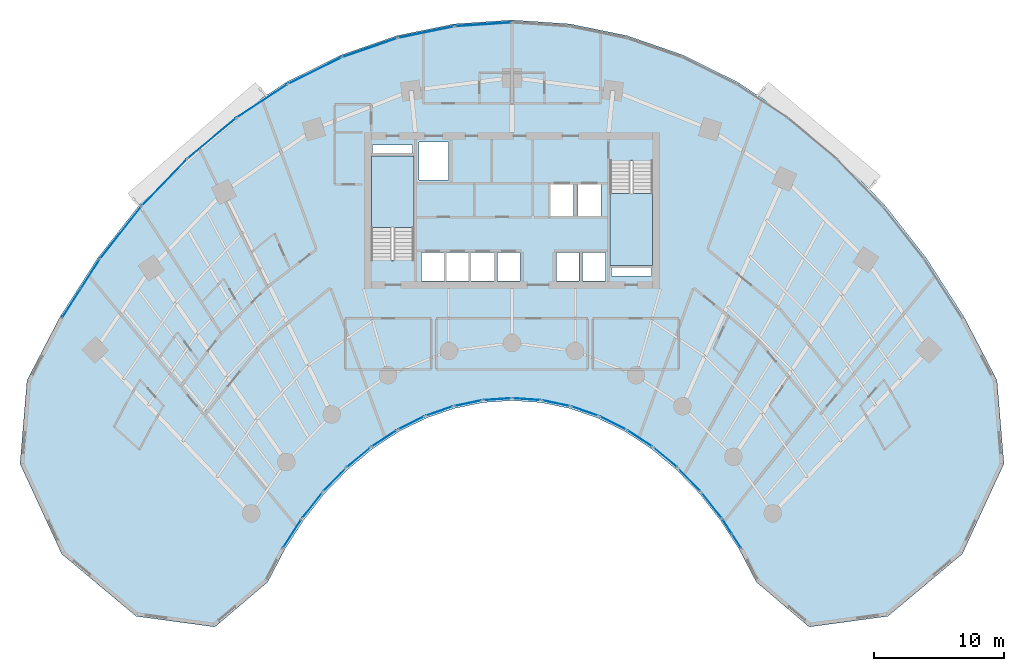
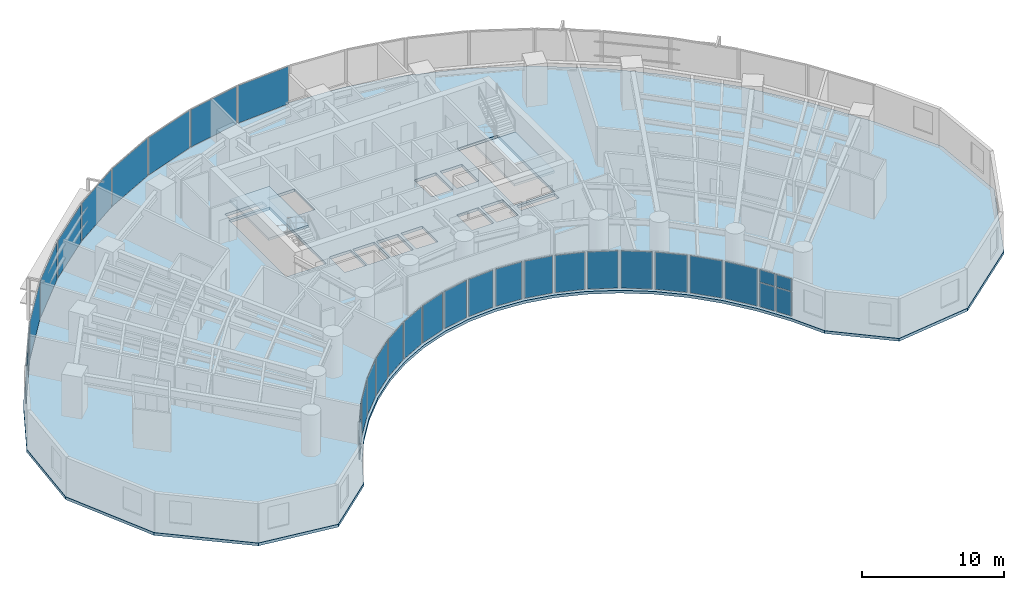
# One storey, part 9 of 17: 33 plates, 3 slabs, 29 elements without a shape of their own.
"""IFC4 building model written with IfcOpenShell, lengths in metres."""

from ifc_helpers import new_model, si_unit, direction, frame, origin, origin_2d, place, context, subcontext, project, spatial, polyline, rectangle, outline, extrude, source, transform, mapped, material, layer, layer_set, type_object, type_shapes, element, aggregate, save


model = new_model("IFC4")

# Units and contexts
model_context = context("Model", 3, precision=1e-05, world=origin(), true_north=direction((0.0, 1.0)))
body_context = subcontext(model_context, "Body", "Model", "MODEL_VIEW")
ifc_project = project(units=[si_unit("LENGTHUNIT", "METRE"), si_unit("AREAUNIT", "SQUARE_METRE"), si_unit("VOLUMEUNIT", "CUBIC_METRE"), si_unit("PLANEANGLEUNIT", "RADIAN"), si_unit("MASSUNIT", "GRAM", prefix="KILO")], contexts=[model_context])

# Site, building, storey
site_placement = place(None, origin())
site = spatial("IfcSite", under=ifc_project, at=site_placement, CompositionType="ELEMENT")
building_placement = place(site_placement, origin())
building = spatial("IfcBuilding", under=site, at=building_placement, Name="Breltana Convention Tower", CompositionType="ELEMENT")
storey_placement = place(building_placement, frame((0.0, 0.0, 71.39990234375)))
storey = spatial("IfcBuildingStorey", under=building, at=storey_placement, Name="L16", CompositionType="ELEMENT", Elevation=71.39990234375)

# Slab
ifc_material_1 = material(Name="Concrete C40/50", Category="concrete")
ifc_layer_1 = layer(ifc_material_1, 0.239990234375, Name="Concrete C40/50")
ifc_layer_set_1 = layer_set([ifc_layer_1], Name="Concrete C40/50")
slab_type_1 = type_object("IfcSlabType", Name="SL-HTL-240", PredefinedType="FLOOR", material=ifc_layer_set_1)
slab_1_placement = place(storey_placement, frame((0.0, 0.0, -0.239990234375)))
element("IfcSlab", 1, at=slab_1_placement, inside=storey, type_object=slab_type_1, Name="L16 Suspended Structural Floor Slab", PredefinedType="FLOOR", context=body_context, shape_type="SweptSolid", body=[
    extrude(outline(polyline([(85.229248046875, 53.173095703125), (82.687744140625, 58.054931640625), (79.791015625, 62.567626953125), (76.569091796875, 66.664794921875), (73.05419921875, 70.304931640625), (69.283203125, 73.450439453125), (65.2939453125, 76.069091796875), (61.1279296875, 78.134033203125), (56.827392578125, 79.62451171875), (52.436279296875, 80.52490234375), (48.0, 80.825927734375), (43.563720703125, 80.52490234375), (39.172607421875, 79.62451171875), (34.8720703125, 78.134033203125), (30.7060546875, 76.069091796875), (26.716796875, 73.450439453125), (22.94580078125, 70.304931640625), (19.430908203125, 66.664794921875), (16.208984375, 62.567626953125), (13.312255859375, 58.054931640625), (10.770751953125, 53.173095703125), (10.234619140625, 46.75927734375), (13.433837890625, 39.8388671875), (19.14697265625, 35.055419921875), (25.191162109375, 34.235595703125), (29.258056640625, 37.693115234375), (30.53759765625, 40.150634765625), (31.995849609375, 42.42236328125), (33.617919921875, 44.485107421875), (35.38720703125, 46.3173828125), (37.28564453125, 47.90087890625), (39.2939453125, 49.21923828125), (41.39111328125, 50.2587890625), (43.55615234375, 51.009033203125), (45.7666015625, 51.46240234375), (48.0, 51.614013671875), (50.2333984375, 51.46240234375), (52.44384765625, 51.009033203125), (54.60888671875, 50.2587890625), (56.7060546875, 49.21923828125), (58.71435546875, 47.90087890625), (60.61279296875, 46.3173828125), (62.382080078125, 44.485107421875), (64.004150390625, 42.42236328125), (65.46240234375, 40.150634765625), (66.741943359375, 37.693115234375), (70.808837890625, 34.235595703125), (76.85302734375, 35.055419921875), (82.566162109375, 39.8388671875), (85.765380859375, 46.75927734375), (85.229248046875, 53.173095703125)]), holes=[polyline([(37.199951171875, 62.385009765625), (40.469970703125, 62.385009765625), (40.469970703125, 70.39990234375), (37.199951171875, 70.39990234375), (37.199951171875, 62.385009765625)]), polyline([(55.530029296875, 62.0), (58.800048828125, 62.0), (58.800048828125, 70.014892578125), (55.530029296875, 70.014892578125), (55.530029296875, 62.0)]), polyline([(41.0400390625, 60.800048828125), (42.800048828125, 60.800048828125), (42.800048828125, 62.97998046875), (41.0400390625, 62.97998046875), (41.0400390625, 60.800048828125)]), polyline([(42.93994140625, 60.800048828125), (44.699951171875, 60.800048828125), (44.699951171875, 62.97998046875), (42.93994140625, 62.97998046875), (42.93994140625, 60.800048828125)]), polyline([(44.8701171875, 60.800048828125), (46.6298828125, 60.800048828125), (46.6298828125, 62.97998046875), (44.8701171875, 62.97998046875), (44.8701171875, 60.800048828125)]), polyline([(46.8701171875, 60.800048828125), (48.6298828125, 60.800048828125), (48.6298828125, 62.97998046875), (46.8701171875, 62.97998046875), (46.8701171875, 60.800048828125)]), polyline([(51.39990234375, 60.800048828125), (53.159912109375, 60.800048828125), (53.159912109375, 62.97998046875), (51.39990234375, 62.97998046875), (51.39990234375, 60.800048828125)]), polyline([(53.39990234375, 60.800048828125), (55.159912109375, 60.800048828125), (55.159912109375, 62.97998046875), (53.39990234375, 62.97998046875), (53.39990234375, 60.800048828125)]), polyline([(50.969970703125, 65.800048828125), (52.72998046875, 65.800048828125), (52.72998046875, 68.179931640625), (50.969970703125, 68.179931640625), (50.969970703125, 65.800048828125)]), polyline([(53.070068359375, 65.800048828125), (54.830078125, 65.800048828125), (54.830078125, 68.179931640625), (53.070068359375, 68.179931640625), (53.070068359375, 65.800048828125)]), polyline([(40.8798828125, 68.550048828125), (43.1201171875, 68.550048828125), (43.1201171875, 71.449951171875), (40.8798828125, 71.449951171875), (40.8798828125, 68.550048828125)]), polyline([(37.300048828125, 70.60009765625), (40.3798828125, 70.60009765625), (40.3798828125, 71.219970703125), (37.300048828125, 71.219970703125), (37.300048828125, 70.60009765625)]), polyline([(55.6201171875, 61.179931640625), (58.699951171875, 61.179931640625), (58.699951171875, 61.800048828125), (55.6201171875, 61.800048828125), (55.6201171875, 61.179931640625)])]), origin(), (0.0, 0.0, 1.0), 0.239990234375),
])

# Stair, slab
stair_type = type_object("IfcStairType", Name="ST-DOG-1560-R180", PredefinedType="HALF_TURN_STAIR", material=ifc_material_1)
stair_1_placement = place(storey_placement, origin())
stair_1 = element("IfcStair", 2, at=stair_1_placement, inside=storey, type_object=stair_type, Name="L16 Protected Core Exit Stair ST-1", PredefinedType="HALF_TURN_STAIR")
ifc_layer_2 = layer(ifc_material_1, 0.199951171875, Name="Concrete C40/50")
ifc_layer_set_2 = layer_set([ifc_layer_2], Name="Concrete C40/50")
slab_type_2 = type_object("IfcSlabType", Name="SL-STAIR-LANDING-200", PredefinedType="LANDING", material=ifc_layer_set_2)
slab_2_placement = place(storey_placement, frame((0.0, 0.0, 1.60009765625)))
slab_2 = element("IfcSlab", 3, at=slab_2_placement, type_object=slab_type_2, Name="ST-1 landing 1", PredefinedType="LANDING", context=body_context, shape_type="SweptSolid", body=[
    extrude(outline(polyline([(40.469970703125, 64.8798828125), (40.469970703125, 70.39990234375), (37.199951171875, 70.39990234375), (37.199951171875, 64.8798828125), (40.469970703125, 64.8798828125)])), origin(), (0.0, 0.0, 1.0), 0.199951171875),
])
aggregate(stair_1, [slab_2])

stair_2_placement = place(storey_placement, origin())
stair_2 = element("IfcStair", 4, at=stair_2_placement, inside=storey, type_object=stair_type, Name="L16 Protected Core Exit Stair ST-2", PredefinedType="HALF_TURN_STAIR")
slab_3_placement = place(storey_placement, frame((0.0, 0.0, 1.60009765625)))
slab_3 = element("IfcSlab", 5, at=slab_3_placement, type_object=slab_type_2, Name="ST-2 landing 1", PredefinedType="LANDING", context=body_context, shape_type="SweptSolid", body=[
    extrude(outline(polyline([(55.530029296875, 67.52001953125), (55.530029296875, 62.0), (58.800048828125, 62.0), (58.800048828125, 67.52001953125), (55.530029296875, 67.52001953125)])), origin(), (0.0, 0.0, 1.0), 0.199951171875),
])
aggregate(stair_2, [slab_3])

# Curtain wall, plates
ifc_material_2 = material(Name="Aluminium Anodised Bronze Frame", Category="aluminium")
ifc_layer_3 = layer(ifc_material_2, 0.18994140625, Name="Aluminium Anodised Bronze Frame")
ifc_layer_set_3 = layer_set([ifc_layer_3], Name="Aluminium Anodised Bronze Frame")
curtain_wall_type_1 = type_object("IfcCurtainWallType", Name="CW-SYS-1", PredefinedType="NOTDEFINED", material=ifc_layer_set_3)
curtain_wall_1_placement = place(storey_placement, origin())
curtain_wall_1 = element("IfcCurtainWall", 6, at=curtain_wall_1_placement, inside=storey, type_object=curtain_wall_type_1, Name="L16 inner south-court glazing 1", PredefinedType="NOTDEFINED")
ifc_material_3 = material(Name="Glass Low-E Double Glazing", Category="glass")
ifc_layer_4 = layer(ifc_material_3, 0.028076171875, Name="Glass Low-E Double Glazing")
ifc_layer_set_4 = layer_set([ifc_layer_4], Name="Glass Low-E Double Glazing")
plate_type_1 = type_object("IfcPlateType", Name="CWP-IGU-28", PredefinedType="CURTAIN_PANEL", material=ifc_layer_set_4)
shared_shape_1 = source(origin(), body_context, "Body", "SweptSolid", [
    extrude(rectangle(XDim=1.229736328125, YDim=0.028076171875, at=origin_2d()), origin(), (0.0, 0.0, 1.0), 2.06396484375),
])
plate_1_placement = place(storey_placement, frame((65.238525390625, 40.83251953125, 0.080078125), z_axis=(0.0, 0.0, 1.0), x_axis=(-0.540169576197, 0.841556194767, 0.0)))
plate_1 = element("IfcPlate", 7, at=plate_1_placement, type_object=plate_type_1, Name="CW-01 panel 1.1", PredefinedType="CURTAIN_PANEL", context=body_context, shape_type="MappedRepresentation", body=[
    mapped(shared_shape_1, transform((0.0, 0.0, 0.0), scale=1.0)),
])
plate_2_placement = place(storey_placement, frame((64.531005859375, 41.934814453125, 0.080078125), z_axis=(0.0, 0.0, 1.0), x_axis=(-0.540169576197, 0.841556194767, 0.0)))
plate_2 = element("IfcPlate", 8, at=plate_2_placement, type_object=plate_type_1, Name="CW-01 panel 2.1", PredefinedType="CURTAIN_PANEL", context=body_context, shape_type="MappedRepresentation", body=[
    mapped(shared_shape_1, transform((0.0, 0.0, 0.0), scale=1.0)),
])
shared_shape_2 = source(origin(), body_context, "Body", "SweptSolid", [
    extrude(rectangle(XDim=1.229736328125, YDim=0.028076171875, at=origin_2d()), origin(), (0.0, 0.0, 1.0), 1.055908203125),
])
plate_3_placement = place(storey_placement, frame((65.238525390625, 40.83251953125, 2.22412109375), z_axis=(0.0, 0.0, 1.0), x_axis=(-0.540169576197, 0.841556194767, 0.0)))
plate_3 = element("IfcPlate", 9, at=plate_3_placement, type_object=plate_type_1, Name="CW-01 panel 1.2", PredefinedType="CURTAIN_PANEL", context=body_context, shape_type="MappedRepresentation", body=[
    mapped(shared_shape_2, transform((0.0, 0.0, 0.0), scale=1.0)),
])
plate_4_placement = place(storey_placement, frame((64.531005859375, 41.934814453125, 2.22412109375), z_axis=(0.0, 0.0, 1.0), x_axis=(-0.540169576197, 0.841556194767, 0.0)))
plate_4 = element("IfcPlate", 10, at=plate_4_placement, type_object=plate_type_1, Name="CW-01 panel 2.2", PredefinedType="CURTAIN_PANEL", context=body_context, shape_type="MappedRepresentation", body=[
    mapped(shared_shape_2, transform((0.0, 0.0, 0.0), scale=1.0)),
])
aggregate(curtain_wall_1, [plate_1, plate_3, plate_2, plate_4])

# Curtain wall, plate
curtain_wall_2_placement = place(storey_placement, origin())
curtain_wall_2 = element("IfcCurtainWall", 11, at=curtain_wall_2_placement, inside=storey, type_object=curtain_wall_type_1, Name="L16 inner south-court glazing 2", PredefinedType="NOTDEFINED")
shared_shape_3 = source(origin(), body_context, "Body", "SweptSolid", [
    extrude(rectangle(XDim=2.464111328125, YDim=0.028076171875, at=origin_2d()), origin(), (0.0, 0.0, 1.0), 3.199951171875),
])
plate_5_placement = place(storey_placement, frame((63.334716796875, 43.56494140625, 0.080078125), z_axis=(0.0, 0.0, 1.0), x_axis=(-0.61815305034, 0.786057762734, 0.0)))
plate_5 = element("IfcPlate", 12, at=plate_5_placement, type_object=plate_type_1, Name="CW-01 panel 1.1", PredefinedType="CURTAIN_PANEL", context=body_context, shape_type="MappedRepresentation", body=[
    mapped(shared_shape_3, transform((0.0, 0.0, 0.0), scale=1.0)),
])
aggregate(curtain_wall_2, [plate_5])

curtain_wall_3_placement = place(storey_placement, origin())
curtain_wall_3 = element("IfcCurtainWall", 13, at=curtain_wall_3_placement, inside=storey, type_object=curtain_wall_type_1, Name="L16 inner south-court glazing 17", PredefinedType="NOTDEFINED")
plate_6_placement = place(storey_placement, frame((32.665283203125, 43.56494140625, 0.080078125), z_axis=(0.0, 0.0, 1.0), x_axis=(-0.61815305034, -0.786057762734, 0.0)))
plate_6 = element("IfcPlate", 14, at=plate_6_placement, type_object=plate_type_1, Name="CW-01 panel 1.1", PredefinedType="CURTAIN_PANEL", context=body_context, shape_type="MappedRepresentation", body=[
    mapped(shared_shape_3, transform((0.0, 0.0, 0.0), scale=1.0)),
])
aggregate(curtain_wall_3, [plate_6])

curtain_wall_4_placement = place(storey_placement, origin())
curtain_wall_4 = element("IfcCurtainWall", 15, at=curtain_wall_4_placement, inside=storey, type_object=curtain_wall_type_1, Name="L16 inner south-court glazing 3", PredefinedType="NOTDEFINED")
shared_shape_4 = source(origin(), body_context, "Body", "SweptSolid", [
    extrude(rectangle(XDim=2.38720703125, YDim=0.028076171875, at=origin_2d()), origin(), (0.0, 0.0, 1.0), 3.199951171875),
])
plate_7_placement = place(storey_placement, frame((61.626953125, 45.5263671875, 0.080078125), z_axis=(0.0, 0.0, 1.0), x_axis=(-0.694612029111, 0.719384548773, 0.0)))
plate_7 = element("IfcPlate", 16, at=plate_7_placement, type_object=plate_type_1, Name="CW-01 panel 1.1", PredefinedType="CURTAIN_PANEL", context=body_context, shape_type="MappedRepresentation", body=[
    mapped(shared_shape_4, transform((0.0, 0.0, 0.0), scale=1.0)),
])
aggregate(curtain_wall_4, [plate_7])

curtain_wall_5_placement = place(storey_placement, origin())
curtain_wall_5 = element("IfcCurtainWall", 17, at=curtain_wall_5_placement, inside=storey, type_object=curtain_wall_type_1, Name="L16 inner south-court glazing 16", PredefinedType="NOTDEFINED")
plate_8_placement = place(storey_placement, frame((34.373046875, 45.5263671875, 0.080078125), z_axis=(0.0, 0.0, 1.0), x_axis=(-0.694612029111, -0.719384548773, 0.0)))
plate_8 = element("IfcPlate", 18, at=plate_8_placement, type_object=plate_type_1, Name="CW-01 panel 1.1", PredefinedType="CURTAIN_PANEL", context=body_context, shape_type="MappedRepresentation", body=[
    mapped(shared_shape_4, transform((0.0, 0.0, 0.0), scale=1.0)),
])
aggregate(curtain_wall_5, [plate_8])

curtain_wall_6_placement = place(storey_placement, origin())
curtain_wall_6 = element("IfcCurtainWall", 19, at=curtain_wall_6_placement, inside=storey, type_object=curtain_wall_type_1, Name="L16 inner south-court glazing 4", PredefinedType="NOTDEFINED")
shared_shape_5 = source(origin(), body_context, "Body", "SweptSolid", [
    extrude(rectangle(XDim=2.312255859375, YDim=0.028076171875, at=origin_2d()), origin(), (0.0, 0.0, 1.0), 3.199951171875),
])
plate_9_placement = place(storey_placement, frame((59.77880859375, 47.24755859375, 0.080078125), z_axis=(0.0, 0.0, 1.0), x_axis=(-0.767939382804, 0.640522524458, 0.0)))
plate_9 = element("IfcPlate", 20, at=plate_9_placement, type_object=plate_type_1, Name="CW-01 panel 1.1", PredefinedType="CURTAIN_PANEL", context=body_context, shape_type="MappedRepresentation", body=[
    mapped(shared_shape_5, transform((0.0, 0.0, 0.0), scale=1.0)),
])
aggregate(curtain_wall_6, [plate_9])

curtain_wall_7_placement = place(storey_placement, origin())
curtain_wall_7 = element("IfcCurtainWall", 21, at=curtain_wall_7_placement, inside=storey, type_object=curtain_wall_type_1, Name="L16 inner south-court glazing 15", PredefinedType="NOTDEFINED")
plate_10_placement = place(storey_placement, frame((36.22119140625, 47.24755859375, 0.080078125), z_axis=(0.0, 0.0, 1.0), x_axis=(-0.767939382804, -0.640522524458, 0.0)))
plate_10 = element("IfcPlate", 22, at=plate_10_placement, type_object=plate_type_1, Name="CW-01 panel 1.1", PredefinedType="CURTAIN_PANEL", context=body_context, shape_type="MappedRepresentation", body=[
    mapped(shared_shape_5, transform((0.0, 0.0, 0.0), scale=1.0)),
])
aggregate(curtain_wall_7, [plate_10])

curtain_wall_8_placement = place(storey_placement, origin())
curtain_wall_8 = element("IfcCurtainWall", 23, at=curtain_wall_8_placement, inside=storey, type_object=curtain_wall_type_1, Name="L16 inner south-court glazing 5", PredefinedType="NOTDEFINED")
shared_shape_6 = source(origin(), body_context, "Body", "SweptSolid", [
    extrude(rectangle(XDim=2.2421875, YDim=0.028076171875, at=origin_2d()), origin(), (0.0, 0.0, 1.0), 3.199951171875),
])
plate_11_placement = place(storey_placement, frame((57.80908203125, 48.710693359375, 0.080078125), z_axis=(0.0, 0.0, 1.0), x_axis=(-0.835967942634, 0.548778278441, 0.0)))
plate_11 = element("IfcPlate", 24, at=plate_11_placement, type_object=plate_type_1, Name="CW-01 panel 1.1", PredefinedType="CURTAIN_PANEL", context=body_context, shape_type="MappedRepresentation", body=[
    mapped(shared_shape_6, transform((0.0, 0.0, 0.0), scale=1.0)),
])
aggregate(curtain_wall_8, [plate_11])

curtain_wall_9_placement = place(storey_placement, origin())
curtain_wall_9 = element("IfcCurtainWall", 25, at=curtain_wall_9_placement, inside=storey, type_object=curtain_wall_type_1, Name="L16 inner south-court glazing 14", PredefinedType="NOTDEFINED")
plate_12_placement = place(storey_placement, frame((38.19091796875, 48.710693359375, 0.080078125), z_axis=(0.0, 0.0, 1.0), x_axis=(-0.835967942634, -0.548778278441, 0.0)))
plate_12 = element("IfcPlate", 26, at=plate_12_placement, type_object=plate_type_1, Name="CW-01 panel 1.1", PredefinedType="CURTAIN_PANEL", context=body_context, shape_type="MappedRepresentation", body=[
    mapped(shared_shape_6, transform((0.0, 0.0, 0.0), scale=1.0)),
])
aggregate(curtain_wall_9, [plate_12])

curtain_wall_10_placement = place(storey_placement, origin())
curtain_wall_10 = element("IfcCurtainWall", 27, at=curtain_wall_10_placement, inside=storey, type_object=curtain_wall_type_1, Name="L16 inner south-court glazing 6", PredefinedType="NOTDEFINED")
shared_shape_7 = source(origin(), body_context, "Body", "SweptSolid", [
    extrude(rectangle(XDim=2.180908203125, YDim=0.028076171875, at=origin_2d()), origin(), (0.0, 0.0, 1.0), 3.199951171875),
])
plate_13_placement = place(storey_placement, frame((55.7373046875, 49.900390625, 0.080078125), z_axis=(0.0, 0.0, 1.0), x_axis=(-0.895968310315, 0.444117987602, 0.0)))
plate_13 = element("IfcPlate", 28, at=plate_13_placement, type_object=plate_type_1, Name="CW-01 panel 1.1", PredefinedType="CURTAIN_PANEL", context=body_context, shape_type="MappedRepresentation", body=[
    mapped(shared_shape_7, transform((0.0, 0.0, 0.0), scale=1.0)),
])
aggregate(curtain_wall_10, [plate_13])

curtain_wall_11_placement = place(storey_placement, origin())
curtain_wall_11 = element("IfcCurtainWall", 29, at=curtain_wall_11_placement, inside=storey, type_object=curtain_wall_type_1, Name="L16 inner south-court glazing 13", PredefinedType="NOTDEFINED")
plate_14_placement = place(storey_placement, frame((40.2626953125, 49.900390625, 0.080078125), z_axis=(0.0, 0.0, 1.0), x_axis=(-0.895968310315, -0.444117987602, 0.0)))
plate_14 = element("IfcPlate", 30, at=plate_14_placement, type_object=plate_type_1, Name="CW-01 panel 1.1", PredefinedType="CURTAIN_PANEL", context=body_context, shape_type="MappedRepresentation", body=[
    mapped(shared_shape_7, transform((0.0, 0.0, 0.0), scale=1.0)),
])
aggregate(curtain_wall_11, [plate_14])

curtain_wall_12_placement = place(storey_placement, origin())
curtain_wall_12 = element("IfcCurtainWall", 31, at=curtain_wall_12_placement, inside=storey, type_object=curtain_wall_type_1, Name="L16 inner south-court glazing 7", PredefinedType="NOTDEFINED")
shared_shape_8 = source(origin(), body_context, "Body", "SweptSolid", [
    extrude(rectangle(XDim=2.13134765625, YDim=0.028076171875, at=origin_2d()), origin(), (0.0, 0.0, 1.0), 3.199951171875),
])
plate_15_placement = place(storey_placement, frame((53.585205078125, 50.80419921875, 0.080078125), z_axis=(0.0, 0.0, 1.0), x_axis=(-0.944881211406, 0.327413341714, 0.0)))
plate_15 = element("IfcPlate", 32, at=plate_15_placement, type_object=plate_type_1, Name="CW-01 panel 1.1", PredefinedType="CURTAIN_PANEL", context=body_context, shape_type="MappedRepresentation", body=[
    mapped(shared_shape_8, transform((0.0, 0.0, 0.0), scale=1.0)),
])
aggregate(curtain_wall_12, [plate_15])

curtain_wall_13_placement = place(storey_placement, origin())
curtain_wall_13 = element("IfcCurtainWall", 33, at=curtain_wall_13_placement, inside=storey, type_object=curtain_wall_type_1, Name="L16 inner south-court glazing 12", PredefinedType="NOTDEFINED")
plate_16_placement = place(storey_placement, frame((42.414794921875, 50.80419921875, 0.080078125), z_axis=(0.0, 0.0, 1.0), x_axis=(-0.944881211406, -0.327413341714, 0.0)))
plate_16 = element("IfcPlate", 34, at=plate_16_placement, type_object=plate_type_1, Name="CW-01 panel 1.1", PredefinedType="CURTAIN_PANEL", context=body_context, shape_type="MappedRepresentation", body=[
    mapped(shared_shape_8, transform((0.0, 0.0, 0.0), scale=1.0)),
])
aggregate(curtain_wall_13, [plate_16])

curtain_wall_14_placement = place(storey_placement, origin())
curtain_wall_14 = element("IfcCurtainWall", 35, at=curtain_wall_14_placement, inside=storey, type_object=curtain_wall_type_1, Name="L16 inner south-court glazing 8", PredefinedType="NOTDEFINED")
shared_shape_9 = source(origin(), body_context, "Body", "SweptSolid", [
    extrude(rectangle(XDim=2.096435546875, YDim=0.028076171875, at=origin_2d()), origin(), (0.0, 0.0, 1.0), 3.199951171875),
])
plate_17_placement = place(storey_placement, frame((51.374755859375, 51.412109375, 0.080078125), z_axis=(0.0, 0.0, 1.0), x_axis=(-0.97961455393, 0.200886350278, 0.0)))
plate_17 = element("IfcPlate", 36, at=plate_17_placement, type_object=plate_type_1, Name="CW-01 panel 1.1", PredefinedType="CURTAIN_PANEL", context=body_context, shape_type="MappedRepresentation", body=[
    mapped(shared_shape_9, transform((0.0, 0.0, 0.0), scale=1.0)),
])
aggregate(curtain_wall_14, [plate_17])

curtain_wall_15_placement = place(storey_placement, origin())
curtain_wall_15 = element("IfcCurtainWall", 37, at=curtain_wall_15_placement, inside=storey, type_object=curtain_wall_type_1, Name="L16 inner south-court glazing 11", PredefinedType="NOTDEFINED")
plate_18_placement = place(storey_placement, frame((44.625244140625, 51.412109375, 0.080078125), z_axis=(0.0, 0.0, 1.0), x_axis=(-0.97961455393, -0.200886350278, 0.0)))
plate_18 = element("IfcPlate", 38, at=plate_18_placement, type_object=plate_type_1, Name="CW-01 panel 1.1", PredefinedType="CURTAIN_PANEL", context=body_context, shape_type="MappedRepresentation", body=[
    mapped(shared_shape_9, transform((0.0, 0.0, 0.0), scale=1.0)),
])
aggregate(curtain_wall_15, [plate_18])

curtain_wall_16_placement = place(storey_placement, origin())
curtain_wall_16 = element("IfcCurtainWall", 39, at=curtain_wall_16_placement, inside=storey, type_object=curtain_wall_type_1, Name="L16 inner south-court glazing 9", PredefinedType="NOTDEFINED")
shared_shape_10 = source(origin(), body_context, "Body", "SweptSolid", [
    extrude(rectangle(XDim=2.078369140625, YDim=0.028076171875, at=origin_2d()), origin(), (0.0, 0.0, 1.0), 3.199951171875),
])
plate_19_placement = place(storey_placement, frame((49.12890625, 51.7177734375, 0.080078125), z_axis=(0.0, 0.0, 1.0), x_axis=(-0.997703975371, 0.067725752326, 0.0)))
plate_19 = element("IfcPlate", 40, at=plate_19_placement, type_object=plate_type_1, Name="CW-01 panel 1.1", PredefinedType="CURTAIN_PANEL", context=body_context, shape_type="MappedRepresentation", body=[
    mapped(shared_shape_10, transform((0.0, 0.0, 0.0), scale=1.0)),
])
aggregate(curtain_wall_16, [plate_19])

curtain_wall_17_placement = place(storey_placement, origin())
curtain_wall_17 = element("IfcCurtainWall", 41, at=curtain_wall_17_placement, inside=storey, type_object=curtain_wall_type_1, Name="L16 inner south-court glazing 10", PredefinedType="NOTDEFINED")
plate_20_placement = place(storey_placement, frame((46.87109375, 51.7177734375, 0.080078125), z_axis=(0.0, 0.0, 1.0), x_axis=(-0.997703975371, -0.067725752326, 0.0)))
plate_20 = element("IfcPlate", 42, at=plate_20_placement, type_object=plate_type_1, Name="CW-01 panel 1.1", PredefinedType="CURTAIN_PANEL", context=body_context, shape_type="MappedRepresentation", body=[
    mapped(shared_shape_10, transform((0.0, 0.0, 0.0), scale=1.0)),
])
aggregate(curtain_wall_17, [plate_20])

curtain_wall_18_placement = place(storey_placement, origin())
curtain_wall_18 = element("IfcCurtainWall", 43, at=curtain_wall_18_placement, inside=storey, type_object=curtain_wall_type_1, Name="L16 inner south-court glazing 18", PredefinedType="NOTDEFINED")
shared_shape_11 = source(origin(), body_context, "Body", "SweptSolid", [
    extrude(rectangle(XDim=2.53955078125, YDim=0.028076171875, at=origin_2d()), origin(), (0.0, 0.0, 1.0), 3.199951171875),
])
plate_21_placement = place(storey_placement, frame((31.115234375, 41.3837890625, 0.080078125), z_axis=(0.0, 0.0, 1.0), x_axis=(-0.540169576197, -0.841556194767, 0.0)))
plate_21 = element("IfcPlate", 44, at=plate_21_placement, type_object=plate_type_1, Name="CW-01 panel 1.1", PredefinedType="CURTAIN_PANEL", context=body_context, shape_type="MappedRepresentation", body=[
    mapped(shared_shape_11, transform((0.0, 0.0, 0.0), scale=1.0)),
])
aggregate(curtain_wall_18, [plate_21])

# Curtain wall, plates
ifc_layer_5 = layer(ifc_material_2, 0.199951171875, Name="Aluminium Anodised Bronze Frame")
ifc_layer_set_5 = layer_set([ifc_layer_5], Name="Aluminium Anodised Bronze Frame")
curtain_wall_type_2 = type_object("IfcCurtainWallType", Name="CW-SYS-2", PredefinedType="NOTDEFINED", material=ifc_layer_set_5)
curtain_wall_19_placement = place(storey_placement, origin())
curtain_wall_19 = element("IfcCurtainWall", 45, at=curtain_wall_19_placement, inside=storey, type_object=curtain_wall_type_2, Name="L16 outer double-skin inner glazing 1", PredefinedType="NOTDEFINED")
ifc_layer_6 = layer(ifc_material_3, 0.031982421875, Name="Glass Low-E Double Glazing")
ifc_layer_set_6 = layer_set([ifc_layer_6], Name="Glass Low-E Double Glazing")
plate_type_2 = type_object("IfcPlateType", Name="CWP-IGU-32", PredefinedType="CURTAIN_PANEL", material=ifc_layer_set_6)
shared_shape_12 = source(origin(), body_context, "Body", "SweptSolid", [
    extrude(rectangle(XDim=2.56787109375, YDim=0.031982421875, at=origin_2d()), origin(), (0.0, 0.0, 1.0), 2.0791015625),
])
type_shapes(plate_type_2, [shared_shape_12])
plate_22_placement = place(storey_placement, frame((14.199462890625, 59.103759765625, 0.070068359375), z_axis=(0.0, 0.0, 1.0), x_axis=(0.540180724109, 0.841549039154, 0.0)))
plate_22 = element("IfcPlate", 46, at=plate_22_placement, type_object=plate_type_2, Name="CW-02 panel 1.1", PredefinedType="CURTAIN_PANEL", context=body_context, shape_type="MappedRepresentation", body=[
    mapped(shared_shape_12, transform((0.0, 0.0, 0.0), scale=1.0)),
])
plate_23_placement = place(storey_placement, frame((15.624267578125, 61.32373046875, 0.070068359375), z_axis=(0.0, 0.0, 1.0), x_axis=(0.540180724109, 0.841549039154, 0.0)))
plate_23 = element("IfcPlate", 47, at=plate_23_placement, type_object=plate_type_2, Name="CW-02 panel 2.1", PredefinedType="CURTAIN_PANEL", context=body_context, shape_type="MappedRepresentation", body=[
    mapped(shared_shape_12, transform((0.0, 0.0, 0.0), scale=1.0)),
])
shared_shape_13 = source(origin(), body_context, "Body", "SweptSolid", [
    extrude(rectangle(XDim=2.56787109375, YDim=0.031982421875, at=origin_2d()), origin(), (0.0, 0.0, 1.0), 1.071044921875),
])
plate_24_placement = place(storey_placement, frame((14.199462890625, 59.103759765625, 2.21923828125), z_axis=(0.0, 0.0, 1.0), x_axis=(0.540180724109, 0.841549039154, 0.0)))
plate_24 = element("IfcPlate", 48, at=plate_24_placement, type_object=plate_type_2, Name="CW-02 panel 1.2", PredefinedType="CURTAIN_PANEL", context=body_context, shape_type="MappedRepresentation", body=[
    mapped(shared_shape_13, transform((0.0, 0.0, 0.0), scale=1.0)),
])
plate_25_placement = place(storey_placement, frame((15.624267578125, 61.32373046875, 2.21923828125), z_axis=(0.0, 0.0, 1.0), x_axis=(0.540180724109, 0.841549039154, 0.0)))
plate_25 = element("IfcPlate", 49, at=plate_25_placement, type_object=plate_type_2, Name="CW-02 panel 2.2", PredefinedType="CURTAIN_PANEL", context=body_context, shape_type="MappedRepresentation", body=[
    mapped(shared_shape_13, transform((0.0, 0.0, 0.0), scale=1.0)),
])
aggregate(curtain_wall_19, [plate_22, plate_24, plate_23, plate_25])

# Curtain wall, plate
curtain_wall_20_placement = place(storey_placement, origin())
curtain_wall_20 = element("IfcCurtainWall", 50, at=curtain_wall_20_placement, inside=storey, type_object=curtain_wall_type_2, Name="L16 outer double-skin inner glazing 2", PredefinedType="NOTDEFINED")
shared_shape_14 = source(origin(), body_context, "Body", "SweptSolid", [
    extrude(rectangle(XDim=5.0546875, YDim=0.031982421875, at=origin_2d()), origin(), (0.0, 0.0, 1.0), 3.219970703125),
])
plate_26_placement = place(storey_placement, frame((17.961181640625, 64.504638671875, 0.0703125), z_axis=(0.0, 0.0, 1.0), x_axis=(0.618153917633, 0.786057080698, 0.0)))
plate_26 = element("IfcPlate", 51, at=plate_26_placement, type_object=plate_type_2, Name="CW-02 panel 1.1", PredefinedType="CURTAIN_PANEL", context=body_context, shape_type="MappedRepresentation", body=[
    mapped(shared_shape_14, transform((0.0, 0.0, 0.0), scale=1.0)),
])
aggregate(curtain_wall_20, [plate_26])

curtain_wall_21_placement = place(storey_placement, origin())
curtain_wall_21 = element("IfcCurtainWall", 52, at=curtain_wall_21_placement, inside=storey, type_object=curtain_wall_type_2, Name="L16 outer double-skin inner glazing 3", PredefinedType="NOTDEFINED")
shared_shape_15 = source(origin(), body_context, "Body", "SweptSolid", [
    extrude(rectangle(XDim=4.901123046875, YDim=0.031982421875, at=origin_2d()), origin(), (0.0, 0.0, 1.0), 3.219970703125),
])
plate_27_placement = place(storey_placement, frame((21.317626953125, 68.359619140625, 0.0703125), z_axis=(0.0, 0.0, 1.0), x_axis=(0.694610090106, 0.719386421003, 0.0)))
plate_27 = element("IfcPlate", 53, at=plate_27_placement, type_object=plate_type_2, Name="CW-02 panel 1.1", PredefinedType="CURTAIN_PANEL", context=body_context, shape_type="MappedRepresentation", body=[
    mapped(shared_shape_15, transform((0.0, 0.0, 0.0), scale=1.0)),
])
aggregate(curtain_wall_21, [plate_27])

curtain_wall_22_placement = place(storey_placement, origin())
curtain_wall_22 = element("IfcCurtainWall", 54, at=curtain_wall_22_placement, inside=storey, type_object=curtain_wall_type_2, Name="L16 outer double-skin inner glazing 4", PredefinedType="NOTDEFINED")
shared_shape_16 = source(origin(), body_context, "Body", "SweptSolid", [
    extrude(rectangle(XDim=4.7509765625, YDim=0.031982421875, at=origin_2d()), origin(), (0.0, 0.0, 1.0), 3.219970703125),
])
plate_28_placement = place(storey_placement, frame((24.9462890625, 71.7392578125, 0.0703125), z_axis=(0.0, 0.0, 1.0), x_axis=(0.767941326958, 0.640520193554, 0.0)))
plate_28 = element("IfcPlate", 55, at=plate_28_placement, type_object=plate_type_2, Name="CW-02 panel 1.1", PredefinedType="CURTAIN_PANEL", context=body_context, shape_type="MappedRepresentation", body=[
    mapped(shared_shape_16, transform((0.0, 0.0, 0.0), scale=1.0)),
])
aggregate(curtain_wall_22, [plate_28])

curtain_wall_23_placement = place(storey_placement, origin())
curtain_wall_23 = element("IfcCurtainWall", 56, at=curtain_wall_23_placement, inside=storey, type_object=curtain_wall_type_2, Name="L16 outer double-skin inner glazing 5", PredefinedType="NOTDEFINED")
shared_shape_17 = source(origin(), body_context, "Body", "SweptSolid", [
    extrude(rectangle(XDim=4.610595703125, YDim=0.031982421875, at=origin_2d()), origin(), (0.0, 0.0, 1.0), 3.219970703125),
])
plate_29_placement = place(storey_placement, frame((28.81005859375, 74.609130859375, 0.0703125), z_axis=(0.0, 0.0, 1.0), x_axis=(0.83596401875, 0.548784255746, 0.0)))
plate_29 = element("IfcPlate", 57, at=plate_29_placement, type_object=plate_type_2, Name="CW-02 panel 1.1", PredefinedType="CURTAIN_PANEL", context=body_context, shape_type="MappedRepresentation", body=[
    mapped(shared_shape_17, transform((0.0, 0.0, 0.0), scale=1.0)),
])
aggregate(curtain_wall_23, [plate_29])

curtain_wall_24_placement = place(storey_placement, origin())
curtain_wall_24 = element("IfcCurtainWall", 58, at=curtain_wall_24_placement, inside=storey, type_object=curtain_wall_type_2, Name="L16 outer double-skin inner glazing 6", PredefinedType="NOTDEFINED")
shared_shape_18 = source(origin(), body_context, "Body", "SweptSolid", [
    extrude(rectangle(XDim=4.487548828125, YDim=0.031982421875, at=origin_2d()), origin(), (0.0, 0.0, 1.0), 3.219970703125),
])
plate_30_placement = place(storey_placement, frame((32.86865234375, 76.940185546875, 0.0703125), z_axis=(0.0, 0.0, 1.0), x_axis=(0.895973407804, 0.444107703726, 0.0)))
plate_30 = element("IfcPlate", 59, at=plate_30_placement, type_object=plate_type_2, Name="CW-02 panel 1.1", PredefinedType="CURTAIN_PANEL", context=body_context, shape_type="MappedRepresentation", body=[
    mapped(shared_shape_18, transform((0.0, 0.0, 0.0), scale=1.0)),
])
aggregate(curtain_wall_24, [plate_30])

curtain_wall_25_placement = place(storey_placement, origin())
curtain_wall_25 = element("IfcCurtainWall", 60, at=curtain_wall_25_placement, inside=storey, type_object=curtain_wall_type_2, Name="L16 outer double-skin inner glazing 7", PredefinedType="NOTDEFINED")
shared_shape_19 = source(origin(), body_context, "Body", "SweptSolid", [
    extrude(rectangle(XDim=4.388427734375, YDim=0.031982421875, at=origin_2d()), origin(), (0.0, 0.0, 1.0), 3.219970703125),
])
plate_31_placement = place(storey_placement, frame((37.0810546875, 78.709228515625, 0.0703125), z_axis=(0.0, 0.0, 1.0), x_axis=(0.944876012163, 0.32742834581, 0.0)))
plate_31 = element("IfcPlate", 61, at=plate_31_placement, type_object=plate_type_2, Name="CW-02 panel 1.1", PredefinedType="CURTAIN_PANEL", context=body_context, shape_type="MappedRepresentation", body=[
    mapped(shared_shape_19, transform((0.0, 0.0, 0.0), scale=1.0)),
])
aggregate(curtain_wall_25, [plate_31])

curtain_wall_26_placement = place(storey_placement, origin())
curtain_wall_26 = element("IfcCurtainWall", 62, at=curtain_wall_26_placement, inside=storey, type_object=curtain_wall_type_2, Name="L16 outer double-skin inner glazing 8", PredefinedType="NOTDEFINED")
shared_shape_20 = source(origin(), body_context, "Body", "SweptSolid", [
    extrude(rectangle(XDim=4.318359375, YDim=0.031982421875, at=origin_2d()), origin(), (0.0, 0.0, 1.0), 3.219970703125),
])
plate_32_placement = place(storey_placement, frame((41.404296875, 79.898193359375, 0.0703125), z_axis=(0.0, 0.0, 1.0), x_axis=(0.979614925743, 0.200884537139, 0.0)))
plate_32 = element("IfcPlate", 63, at=plate_32_placement, type_object=plate_type_2, Name="CW-02 panel 1.1", PredefinedType="CURTAIN_PANEL", context=body_context, shape_type="MappedRepresentation", body=[
    mapped(shared_shape_20, transform((0.0, 0.0, 0.0), scale=1.0)),
])
aggregate(curtain_wall_26, [plate_32])

curtain_wall_27_placement = place(storey_placement, origin())
curtain_wall_27 = element("IfcCurtainWall", 64, at=curtain_wall_27_placement, inside=storey, type_object=curtain_wall_type_2, Name="L16 outer double-skin inner glazing 9", PredefinedType="NOTDEFINED")
shared_shape_21 = source(origin(), body_context, "Body", "SweptSolid", [
    extrude(rectangle(XDim=4.2822265625, YDim=0.031982421875, at=origin_2d()), origin(), (0.0, 0.0, 1.0), 3.219970703125),
])
plate_33_placement = place(storey_placement, frame((45.7939453125, 80.495849609375, 0.0703125), z_axis=(0.0, 0.0, 1.0), x_axis=(0.997703982282, 0.067725650529, 0.0)))
plate_33 = element("IfcPlate", 65, at=plate_33_placement, type_object=plate_type_2, Name="CW-02 panel 1.1", PredefinedType="CURTAIN_PANEL", context=body_context, shape_type="MappedRepresentation", body=[
    mapped(shared_shape_21, transform((0.0, 0.0, 0.0), scale=1.0)),
])
aggregate(curtain_wall_27, [plate_33])

save(model, "model.ifc")
